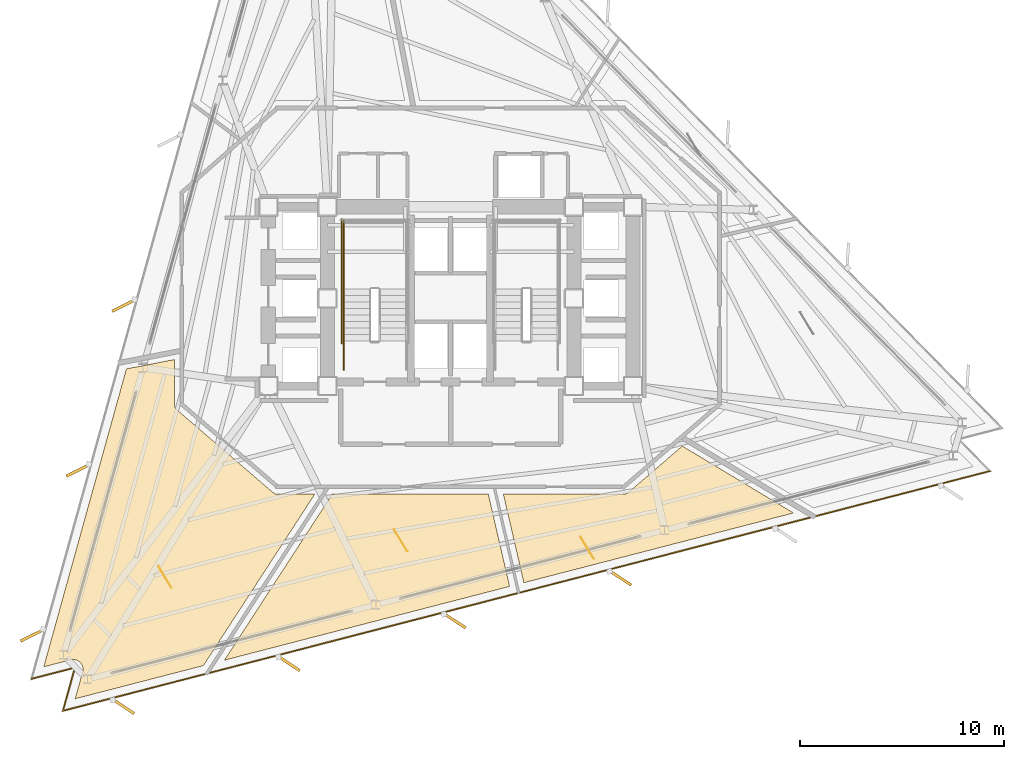
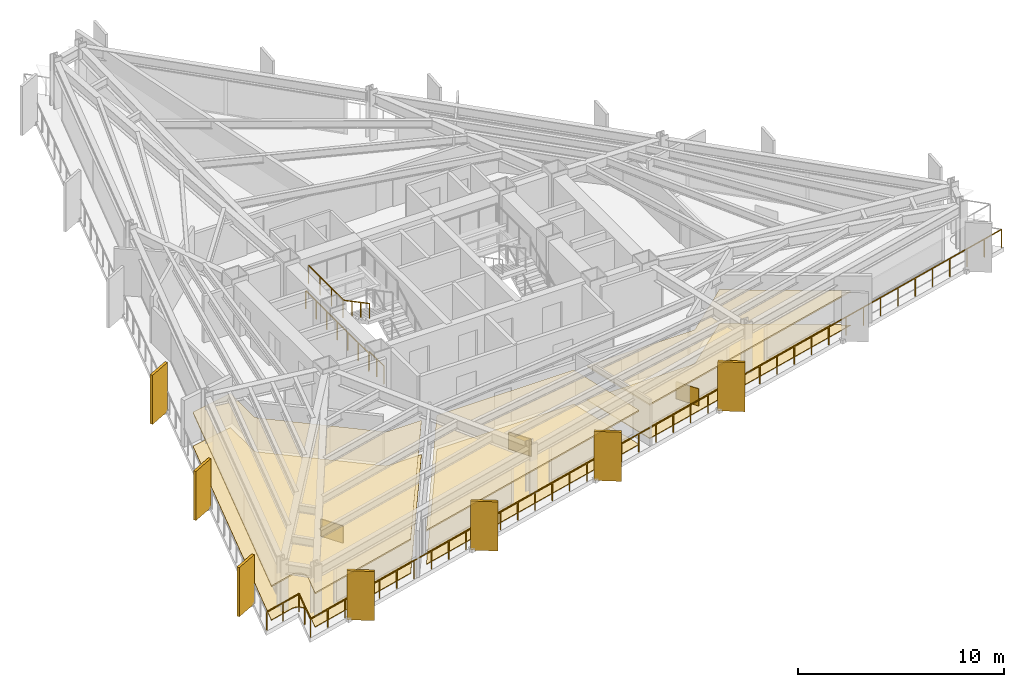
# One storey, part 9 of 11: 9 coverings, 7 shading devices, 5 railings.
"""IFC4 building model written with IfcOpenShell, lengths in metres."""

from ifc_helpers import new_model, si_unit, direction, frame, origin, origin_2d, place, context, subcontext, project, spatial, polyline, rectangle, outline, extrude, material, layer, layer_set, type_object, element, save


model = new_model("IFC4")

# Units and contexts
model_context = context("Model", 3, precision=1e-05, world=origin(), true_north=direction((0.0, 1.0)))
body_context = subcontext(model_context, "Body", "Model", "MODEL_VIEW")
ifc_project = project(units=[si_unit("LENGTHUNIT", "METRE"), si_unit("AREAUNIT", "SQUARE_METRE"), si_unit("VOLUMEUNIT", "CUBIC_METRE"), si_unit("PLANEANGLEUNIT", "RADIAN"), si_unit("MASSUNIT", "GRAM", prefix="KILO")], contexts=[model_context])

# Site, building, storey
site_placement = place(None, origin())
site = spatial("IfcSite", under=ifc_project, at=site_placement, CompositionType="ELEMENT")
building_placement = place(site_placement, origin())
building = spatial("IfcBuilding", under=site, at=building_placement, Name="Rocaltana Carrier Exchange", CompositionType="ELEMENT")
storey_placement = place(building_placement, frame((0.0, 0.0, 79.52001953125)))
storey = spatial("IfcBuildingStorey", under=building, at=storey_placement, Name="L24", CompositionType="ELEMENT", Elevation=79.52001953125)

# Coverings
ifc_material_1 = material(Name="Honed Bogota Sandstone Tile", Category="masonry")
ifc_layer_1 = layer(ifc_material_1, 0.0400390625)
ifc_layer_set_1 = layer_set([ifc_layer_1], Name="Honed Bogota Sandstone Tile")
covering_type_1 = type_object("IfcCoveringType", Name="Honed Stone Lobby Flooring 40", PredefinedType="FLOORING", material=ifc_layer_set_1)
covering_1_placement = place(storey_placement, origin())
element("IfcCovering", 1, at=covering_1_placement, inside=storey, type_object=covering_type_1, Name="L24 Peering Conference Room Finish Floor", PredefinedType="FLOORING", context=body_context, shape_type="SweptSolid", body=[
    extrude(outline(polyline([(-18.068359375, -18.33837890625), (-18.06494140625, -18.324951171875), (-18.060546875, -18.305419921875), (-18.055908203125, -18.278076171875), (-18.05322265625, -18.25830078125), (-18.051513671875, -18.230224609375), (-18.05078125, -18.21044921875), (-18.0517578125, -18.1826171875), (-18.05322265625, -18.16259765625), (-18.056884765625, -18.135009765625), (-18.060302734375, -18.115234375), (-18.066650390625, -18.088134765625), (-18.072265625, -18.069091796875), (-18.081298828125, -18.04248046875), (-18.08837890625, -18.02392578125), (-18.10009765625, -17.99853515625), (-18.109375, -17.98095703125), (-18.123291015625, -17.956787109375), (-18.13427734375, -17.940185546875), (-18.150634765625, -17.91748046875), (-18.1630859375, -17.90185546875), (-18.181640625, -17.881103515625), (-18.195556640625, -17.86669921875), (-18.216064453125, -17.847900390625), (-18.2314453125, -17.835205078125), (-18.25390625, -17.818359375), (-18.270263671875, -17.80712890625), (-18.294189453125, -17.792724609375), (-18.311767578125, -17.783203125), (-18.3369140625, -17.771240234375), (-18.355224609375, -17.763671875), (-18.381591796875, -17.754150390625), (-18.400634765625, -17.748291015625), (-18.427734375, -17.741455078125), (-18.447265625, -17.73779296875), (-18.474853515625, -17.733642578125), (-18.49462890625, -17.731689453125), (-18.522705078125, -17.73046875), (-18.54248046875, -17.73046875), (-18.5703125, -17.73193359375), (-18.59033203125, -17.73388671875), (-18.617919921875, -17.73828125), (-18.637451171875, -17.7421875), (-18.65087890625, -17.74560546875), (-19.97607421875, -18.088134765625), (-15.919677734375, -3.461181640625), (-13.56005859375, -3.00244140625), (-13.56005859375, -5.199951171875), (-13.559814453125, -5.21337890625), (-13.559326171875, -5.220947265625), (-13.556884765625, -5.24755859375), (-13.5556640625, -5.255126953125), (-13.550537109375, -5.281494140625), (-13.548828125, -5.288818359375), (-13.541259765625, -5.314453125), (-13.538818359375, -5.32177734375), (-13.52880859375, -5.346435546875), (-13.525634765625, -5.353515625), (-13.51318359375, -5.377197265625), (-13.509521484375, -5.3837890625), (-13.4951171875, -5.40625), (-13.490478515625, -5.41259765625), (-13.47412109375, -5.433349609375), (-13.468994140625, -5.439208984375), (-13.450439453125, -5.45849609375), (-13.44482421875, -5.4638671875), (-13.43505859375, -5.47265625), (-8.735107421875, -9.522705078125), (-8.72412109375, -9.53173828125), (-8.717529296875, -9.53662109375), (-8.6943359375, -9.552978515625), (-8.6875, -9.557373046875), (-8.66259765625, -9.571044921875), (-8.6552734375, -9.57470703125), (-8.629150390625, -9.5859375), (-8.62158203125, -9.5888671875), (-8.594482421875, -9.597412109375), (-8.58642578125, -9.599365234375), (-8.55859375, -9.60498046875), (-8.550537109375, -9.606201171875), (-8.522216796875, -9.609130859375), (-8.51416015625, -9.609619140625), (-8.5, -9.610107421875), (-6.670166015625, -9.610107421875), (-12.13720703125, -18.02880859375), (-18.43408203125, -19.6572265625), (-18.068359375, -18.33837890625)])), origin(), (0.0, 0.0, 1.0), 0.0400390625),
])
covering_2_placement = place(storey_placement, origin())
element("IfcCovering", 2, at=covering_2_placement, inside=storey, type_object=covering_type_1, Name="L24 Incident Briefing Room Finish Floor", PredefinedType="FLOORING", context=body_context, shape_type="SweptSolid", body=[
    extrude(outline(polyline([(-11.10546875, -17.761962890625), (-5.8115234375, -9.610107421875), (1.84912109375, -9.610107421875), (2.895263671875, -14.14111328125), (-11.10546875, -17.761962890625)])), origin(), (0.0, 0.0, 1.0), 0.0400390625),
])
covering_3_placement = place(storey_placement, origin())
element("IfcCovering", 3, at=covering_3_placement, inside=storey, type_object=covering_type_1, Name="L24 Peering Conference Room Finish Floor", PredefinedType="FLOORING", context=body_context, shape_type="SweptSolid", body=[
    extrude(outline(polyline([(3.592529296875, -13.960693359375), (2.588134765625, -9.610107421875), (8.5, -9.610107421875), (8.51416015625, -9.609619140625), (8.522216796875, -9.609130859375), (8.550537109375, -9.606201171875), (8.55859375, -9.60498046875), (8.58642578125, -9.599365234375), (8.594482421875, -9.597412109375), (8.62158203125, -9.5888671875), (8.629150390625, -9.5859375), (8.6552734375, -9.57470703125), (8.66259765625, -9.571044921875), (8.6875, -9.557373046875), (8.6943359375, -9.552978515625), (8.717529296875, -9.53662109375), (8.72412109375, -9.53173828125), (8.735107421875, -9.522705078125), (11.3701171875, -7.251953125), (16.835693359375, -10.535888671875), (3.592529296875, -13.960693359375)])), origin(), (0.0, 0.0, 1.0), 0.0400390625),
])
ifc_material_2 = material(Name="Anodised Aluminium 6063-T6", Category="aluminium")
ifc_layer_2 = layer(ifc_material_2, 0.0849609375)
ifc_layer_set_2 = layer_set([ifc_layer_2], Name="Anodised Aluminium 6063-T6")
covering_type_2 = type_object("IfcCoveringType", Name="Linear Baffle Acoustic Ceiling 85", PredefinedType="CEILING", material=ifc_layer_set_2)
covering_4_placement = place(storey_placement, frame((0.0, 0.0, 1.972900390625)))
element("IfcCovering", 4, at=covering_4_placement, inside=storey, type_object=covering_type_2, Name="L24 Peering Conference Room Acoustic Ceiling", PredefinedType="CEILING", context=body_context, shape_type="SweptSolid", body=[
    extrude(outline(polyline([(-18.068359375, -18.33837890625), (-18.06494140625, -18.324951171875), (-18.060546875, -18.305419921875), (-18.055908203125, -18.278076171875), (-18.05322265625, -18.25830078125), (-18.051513671875, -18.230224609375), (-18.05078125, -18.21044921875), (-18.0517578125, -18.1826171875), (-18.05322265625, -18.16259765625), (-18.056884765625, -18.135009765625), (-18.060302734375, -18.115234375), (-18.066650390625, -18.088134765625), (-18.072265625, -18.069091796875), (-18.081298828125, -18.04248046875), (-18.08837890625, -18.02392578125), (-18.10009765625, -17.99853515625), (-18.109375, -17.98095703125), (-18.123291015625, -17.956787109375), (-18.13427734375, -17.940185546875), (-18.150634765625, -17.91748046875), (-18.1630859375, -17.90185546875), (-18.181640625, -17.881103515625), (-18.195556640625, -17.86669921875), (-18.216064453125, -17.847900390625), (-18.2314453125, -17.835205078125), (-18.25390625, -17.818359375), (-18.270263671875, -17.80712890625), (-18.294189453125, -17.792724609375), (-18.311767578125, -17.783203125), (-18.3369140625, -17.771240234375), (-18.355224609375, -17.763671875), (-18.381591796875, -17.754150390625), (-18.400634765625, -17.748291015625), (-18.427734375, -17.741455078125), (-18.447265625, -17.73779296875), (-18.474853515625, -17.733642578125), (-18.49462890625, -17.731689453125), (-18.522705078125, -17.73046875), (-18.54248046875, -17.73046875), (-18.5703125, -17.73193359375), (-18.59033203125, -17.73388671875), (-18.617919921875, -17.73828125), (-18.637451171875, -17.7421875), (-18.65087890625, -17.74560546875), (-19.97607421875, -18.088134765625), (-15.919677734375, -3.461181640625), (-13.56005859375, -3.00244140625), (-13.56005859375, -5.199951171875), (-13.559814453125, -5.21337890625), (-13.559326171875, -5.220947265625), (-13.556884765625, -5.24755859375), (-13.5556640625, -5.255126953125), (-13.550537109375, -5.281494140625), (-13.548828125, -5.288818359375), (-13.541259765625, -5.314453125), (-13.538818359375, -5.32177734375), (-13.52880859375, -5.346435546875), (-13.525634765625, -5.353515625), (-13.51318359375, -5.377197265625), (-13.509521484375, -5.3837890625), (-13.4951171875, -5.40625), (-13.490478515625, -5.41259765625), (-13.47412109375, -5.433349609375), (-13.468994140625, -5.439208984375), (-13.450439453125, -5.45849609375), (-13.44482421875, -5.4638671875), (-13.43505859375, -5.47265625), (-8.735107421875, -9.522705078125), (-8.72412109375, -9.53173828125), (-8.717529296875, -9.53662109375), (-8.6943359375, -9.552978515625), (-8.6875, -9.557373046875), (-8.66259765625, -9.571044921875), (-8.6552734375, -9.57470703125), (-8.629150390625, -9.5859375), (-8.62158203125, -9.5888671875), (-8.594482421875, -9.597412109375), (-8.58642578125, -9.599365234375), (-8.55859375, -9.60498046875), (-8.550537109375, -9.606201171875), (-8.522216796875, -9.609130859375), (-8.51416015625, -9.609619140625), (-8.5, -9.610107421875), (-6.670166015625, -9.610107421875), (-12.13720703125, -18.02880859375), (-18.43408203125, -19.6572265625), (-18.068359375, -18.33837890625)])), origin(), (0.0, 0.0, 1.0), 0.0849609375),
])
covering_5_placement = place(storey_placement, frame((0.0, 0.0, 1.972900390625)))
element("IfcCovering", 5, at=covering_5_placement, inside=storey, type_object=covering_type_2, Name="L24 Incident Briefing Room Acoustic Ceiling", PredefinedType="CEILING", context=body_context, shape_type="SweptSolid", body=[
    extrude(outline(polyline([(-11.10546875, -17.761962890625), (-5.8115234375, -9.610107421875), (1.84912109375, -9.610107421875), (2.895263671875, -14.14111328125), (-11.10546875, -17.761962890625)])), origin(), (0.0, 0.0, 1.0), 0.0849609375),
])
covering_6_placement = place(storey_placement, frame((0.0, 0.0, 1.972900390625)))
element("IfcCovering", 6, at=covering_6_placement, inside=storey, type_object=covering_type_2, Name="L24 Peering Conference Room Acoustic Ceiling", PredefinedType="CEILING", context=body_context, shape_type="SweptSolid", body=[
    extrude(outline(polyline([(3.592529296875, -13.960693359375), (2.588134765625, -9.610107421875), (8.5, -9.610107421875), (8.51416015625, -9.609619140625), (8.522216796875, -9.609130859375), (8.550537109375, -9.606201171875), (8.55859375, -9.60498046875), (8.58642578125, -9.599365234375), (8.594482421875, -9.597412109375), (8.62158203125, -9.5888671875), (8.629150390625, -9.5859375), (8.6552734375, -9.57470703125), (8.66259765625, -9.571044921875), (8.6875, -9.557373046875), (8.6943359375, -9.552978515625), (8.717529296875, -9.53662109375), (8.72412109375, -9.53173828125), (8.735107421875, -9.522705078125), (11.3701171875, -7.251953125), (16.835693359375, -10.535888671875), (3.592529296875, -13.960693359375)])), origin(), (0.0, 0.0, 1.0), 0.0849609375),
])

# Railings
ifc_material_3 = material(Name="Brushed Architectural Stainless Tube", Category="steel")
ifc_layer_3 = layer(ifc_material_3, 0.048095703125)
ifc_layer_set_3 = layer_set([ifc_layer_3], Name="Brushed Architectural Stainless Tube")
railing_type_1 = type_object("IfcRailingType", Name="Stair Wall Handrail 920", PredefinedType="HANDRAIL", material=ifc_layer_set_3)
railing_1_placement = place(storey_placement, frame((-5.25, 0.4599609375, 1.68896484375)))
element("IfcRailing", 7, at=railing_1_placement, inside=storey, type_object=railing_type_1, Name="L24 ST-1 stair handrail 2", PredefinedType="HANDRAIL", context=body_context, shape_type="SweptSolid", body=[
    extrude(rectangle(XDim=0.048095703125, YDim=0.048095703125, at=origin_2d()), frame((0.0, 0.0, 0.8759765625), z_axis=(0.0, -0.884394423565, 0.466740295633), x_axis=(1.0, 0.0, 0.0)), (0.0, 0.0, 1.0), 2.894775390625),
    extrude(rectangle(XDim=0.0419921875, YDim=0.0419921875, at=origin_2d()), origin(), (0.0, 0.0, 1.0), 0.851806640625),
    extrude(rectangle(XDim=0.0419921875, YDim=0.0419921875, at=origin_2d()), frame((0.0, -0.853271484375, 0.450439453125)), (0.0, 0.0, 1.0), 0.851806640625),
    extrude(rectangle(XDim=0.0419921875, YDim=0.0419921875, at=origin_2d()), frame((0.0, -1.706787109375, 0.900634765625)), (0.0, 0.0, 1.0), 0.851806640625),
    extrude(rectangle(XDim=0.0419921875, YDim=0.0419921875, at=origin_2d()), frame((0.0, -2.56005859375, 1.35107421875)), (0.0, 0.0, 1.0), 0.851806640625),
])
ifc_material_4 = material(Name="Powder-Coated Aluminium 6063-T6", Category="aluminium")
ifc_layer_4 = layer(ifc_material_4, 0.048095703125)
ifc_layer_set_4 = layer_set([ifc_layer_4], Name="Powder-Coated Aluminium 6063-T6")
railing_type_2 = type_object("IfcRailingType", Name="Stair Well Guardrail 1100", PredefinedType="GUARDRAIL", material=ifc_layer_set_4)
railing_2_placement = place(storey_placement, frame((-5.25, 0.4599609375, 1.52001953125)))
element("IfcRailing", 8, at=railing_2_placement, inside=storey, type_object=railing_type_2, Name="L24 ST-1 stair guard 4", PredefinedType="GUARDRAIL", context=body_context, shape_type="SweptSolid", body=[
    extrude(rectangle(XDim=0.048095703125, YDim=0.048095703125, at=origin_2d()), frame((0.0, 0.0, 1.076171875), z_axis=(0.0, 1.0, 0.0), x_axis=(-1.0, 0.0, 0.0)), (0.0, 0.0, 1.0), 3.340087890625),
    extrude(rectangle(XDim=0.0419921875, YDim=0.0419921875, at=origin_2d()), origin(), (0.0, 0.0, 1.0), 1.052001953125),
    extrude(rectangle(XDim=0.0419921875, YDim=0.0419921875, at=origin_2d()), frame((0.0, 1.11328125, 0.0)), (0.0, 0.0, 1.0), 1.052001953125),
    extrude(rectangle(XDim=0.0419921875, YDim=0.0419921875, at=origin_2d()), frame((0.0, 2.226806640625, 0.0)), (0.0, 0.0, 1.0), 1.052001953125),
    extrude(rectangle(XDim=0.0419921875, YDim=0.0419921875, at=origin_2d()), frame((0.0, 3.340087890625, 0.0)), (0.0, 0.0, 1.0), 1.052001953125),
])
railing_3_placement = place(storey_placement, frame((-5.25, -3.5, 0.0)))
element("IfcRailing", 9, at=railing_3_placement, inside=storey, type_object=railing_type_2, Name="L24 ST-1 stair guard 9", PredefinedType="GUARDRAIL", context=body_context, shape_type="SweptSolid", body=[
    extrude(rectangle(XDim=0.048095703125, YDim=0.048095703125, at=origin_2d()), frame((0.0, 0.0, 1.076171875), z_axis=(0.0, 1.0, 0.0), x_axis=(-1.0, 0.0, 0.0)), (0.0, 0.0, 1.0), 1.39990234375),
    extrude(rectangle(XDim=0.0419921875, YDim=0.0419921875, at=origin_2d()), origin(), (0.0, 0.0, 1.0), 1.052001953125),
    extrude(rectangle(XDim=0.0419921875, YDim=0.0419921875, at=origin_2d()), frame((0.0, 0.699951171875, 0.0)), (0.0, 0.0, 1.0), 1.052001953125),
    extrude(rectangle(XDim=0.0419921875, YDim=0.0419921875, at=origin_2d()), frame((0.0, 1.39990234375, 0.0)), (0.0, 0.0, 1.0), 1.052001953125),
])
railing_4_placement = place(storey_placement, frame((-5.35009765625, -2.199951171875, 0.0)))
element("IfcRailing", 10, at=railing_4_placement, inside=storey, type_object=railing_type_2, Name="L24 ST-1 stair guard 11", PredefinedType="GUARDRAIL", context=body_context, shape_type="SweptSolid", body=[
    extrude(rectangle(XDim=0.048095703125, YDim=0.048095703125, at=origin_2d()), frame((0.0, 0.0, 1.076171875), z_axis=(0.0, 1.0, 0.0), x_axis=(-1.0, 0.0, 0.0)), (0.0, 0.0, 1.0), 6.099853515625),
    extrude(rectangle(XDim=0.0419921875, YDim=0.0419921875, at=origin_2d()), origin(), (0.0, 0.0, 1.0), 1.052001953125),
    extrude(rectangle(XDim=0.0419921875, YDim=0.0419921875, at=origin_2d()), frame((0.0, 1.0166015625, 0.0)), (0.0, 0.0, 1.0), 1.052001953125),
    extrude(rectangle(XDim=0.0419921875, YDim=0.0419921875, at=origin_2d()), frame((0.0, 2.033203125, 0.0)), (0.0, 0.0, 1.0), 1.052001953125),
    extrude(rectangle(XDim=0.0419921875, YDim=0.0419921875, at=origin_2d()), frame((0.0, 3.0498046875, 0.0)), (0.0, 0.0, 1.0), 1.052001953125),
    extrude(rectangle(XDim=0.0419921875, YDim=0.0419921875, at=origin_2d()), frame((0.0, 4.066650390625, 0.0)), (0.0, 0.0, 1.0), 1.052001953125),
    extrude(rectangle(XDim=0.0419921875, YDim=0.0419921875, at=origin_2d()), frame((0.0, 5.083251953125, 0.0)), (0.0, 0.0, 1.0), 1.052001953125),
    extrude(rectangle(XDim=0.0419921875, YDim=0.0419921875, at=origin_2d()), frame((0.0, 6.099853515625, 0.0)), (0.0, 0.0, 1.0), 1.052001953125),
])

# Coverings
ifc_material_5 = material(Name="Honed Piedra Muneca Sandstone", Category="masonry")
ifc_layer_5 = layer(ifc_material_5, 0.034912109375)
ifc_layer_set_5 = layer_set([ifc_layer_5], Name="Honed Piedra Muneca Sandstone")
covering_type_3 = type_object("IfcCoveringType", Name="Stone Facade Cladding 35", PredefinedType="CLADDING", material=ifc_layer_set_5)
for number, where, z_axis, x_axis, name in (
    (11, (-14.02880859375, -13.670166015625, 0.0), (0.0, 0.0, 1.0), (-0.51503807491, 0.857167300702, 0.0), "L24 Stone Facade Cladding Panel 1"),
    (12, (-2.455322265625, -11.87548828125, 0.0), (0.0, 0.0, 1.0), (-0.51503807491, 0.857167300702, 0.0), "L24 Stone Facade Cladding Panel 2"),
    (13, (6.705810546875, -12.248291015625, 0.0), (0.0, 0.0, 1.0), (-0.51503807491, 0.857167300702, 0.0), "L24 Stone Facade Cladding Panel 3"),
):
    element("IfcCovering", number, at=place(storey_placement, frame(where, z_axis=z_axis, x_axis=x_axis)), inside=storey, type_object=covering_type_3, Name=name, PredefinedType="CLADDING", context=body_context, shape_type="SweptSolid", body=[
        extrude(rectangle(XDim=1.25, YDim=0.034912109375, at=origin_2d()), origin(), (0.0, 0.0, 1.0), 1.050048828125),
    ])

# Shading devices
ifc_material_6 = material(Name="Honed Bogota Sandstone & Concrete C45/55", Category="masonry")
ifc_layer_6 = layer(ifc_material_6, 0.139892578125)
ifc_layer_set_6 = layer_set([ifc_layer_6], Name="Honed Bogota Sandstone & Concrete C45/55")
shading_device_type = type_object("IfcShadingDeviceType", Name="Vertical Sandstone Shading Fin 1320x140", PredefinedType="USERDEFINED", material=ifc_layer_set_6)
for number, where, z_axis, x_axis, name in (
    (14, (-16.031005859375, -0.34326171875, -0.1201171875), (0.0, 0.0, 1.0), (-0.894934361602, -0.44619781311, 0.0), "L24 Sandstone Vertical Fin F2-04"),
    (15, (-18.27587890625, -8.437744140625, -0.1201171875), (0.0, 0.0, 1.0), (-0.894934361602, -0.44619781311, 0.0), "L24 Sandstone Vertical Fin F2-05"),
    (16, (-20.520751953125, -16.5322265625, -0.1201171875), (0.0, 0.0, 1.0), (-0.894934361602, -0.44619781311, 0.0), "L24 Sandstone Vertical Fin F2-06"),
    (17, (-16.08447265625, -20.021484375, -0.1201171875), (0.0, 0.0, 1.0), (0.833885822067, -0.551936985312, 0.0), "L24 Sandstone Vertical Fin F3-01"),
    (18, (-7.9521484375, -17.918212890625, -0.1201171875), (0.0, 0.0, 1.0), (0.833885822067, -0.551936985312, 0.0), "L24 Sandstone Vertical Fin F3-02"),
    (19, (0.180419921875, -15.81494140625, -0.1201171875), (0.0, 0.0, 1.0), (0.833885822067, -0.551936985312, 0.0), "L24 Sandstone Vertical Fin F3-03"),
    (20, (8.312744140625, -13.7119140625, -0.1201171875), (0.0, 0.0, 1.0), (0.833885822067, -0.551936985312, 0.0), "L24 Sandstone Vertical Fin F3-04"),
):
    element("IfcShadingDevice", number, at=place(storey_placement, frame(where, z_axis=z_axis, x_axis=x_axis)), inside=storey, type_object=shading_device_type, Name=name, ObjectType="FIN", PredefinedType="USERDEFINED", context=body_context, shape_type="SweptSolid", body=[
        extrude(rectangle(XDim=1.320068359375, YDim=0.139892578125, at=origin_2d()), origin(), (0.0, 0.0, 1.0), 2.907958984375),
    ])

# Railing
ifc_material_7 = material(Name="Powder-Coated Aluminium 6063-T6", Category="aluminium")
ifc_layer_7 = layer(ifc_material_7, 0.06005859375)
ifc_layer_set_7 = layer_set([ifc_layer_7], Name="Powder-Coated Aluminium 6063-T6")
railing_type_3 = type_object("IfcRailingType", Name="Wind-Floor & Terrace Perimeter Guardrail 1100", PredefinedType="GUARDRAIL", material=ifc_layer_set_7)
railing_5_placement = place(storey_placement, frame((26.46240234375, -8.47998046875, 0.0)))
element("IfcRailing", 21, at=railing_5_placement, inside=storey, type_object=railing_type_3, Name="L24 Perimeter Balcony Guardrail 1", PredefinedType="GUARDRAIL", context=body_context, shape_type="SweptSolid", body=[
    extrude(rectangle(XDim=0.048095703125, YDim=0.048095703125, at=origin_2d()), frame((0.0, 0.0, 1.076171875), z_axis=(-0.968146868185, -0.250382989886, 0.0), x_axis=(0.250382989886, -0.968146868185, 0.0)), (0.0, 0.0, 1.0), 46.992431640625),
    extrude(rectangle(XDim=0.048095703125, YDim=0.048095703125, at=origin_2d()), frame((-45.49560546875, -11.76611328125, 1.076171875), z_axis=(0.267237446942, 0.96363071088, 0.0), x_axis=(-0.96363071088, 0.267237446942, 0.0)), (0.0, 0.0, 1.0), 2.199951171875),
    extrude(rectangle(XDim=0.048095703125, YDim=0.048095703125, at=origin_2d()), frame((-44.90771484375, -9.646240234375, 1.076171875), z_axis=(-0.968152477167, -0.250361300835, 0.0), x_axis=(0.250361300835, -0.968152477167, 0.0)), (0.0, 0.0, 1.0), 2.199951171875),
    extrude(rectangle(XDim=0.0419921875, YDim=0.0419921875, at=origin_2d()), origin(), (0.0, 0.0, 1.0), 1.052001953125),
    extrude(rectangle(XDim=0.0419921875, YDim=0.0419921875, at=origin_2d()), frame((-1.137451171875, -0.294189453125, 0.0)), (0.0, 0.0, 1.0), 1.052001953125),
    extrude(rectangle(XDim=0.0419921875, YDim=0.0419921875, at=origin_2d()), frame((-2.27490234375, -0.58837890625, 0.0)), (0.0, 0.0, 1.0), 1.052001953125),
    extrude(rectangle(XDim=0.0419921875, YDim=0.0419921875, at=origin_2d()), frame((-3.412109375, -0.882568359375, 0.0)), (0.0, 0.0, 1.0), 1.052001953125),
    extrude(rectangle(XDim=0.0419921875, YDim=0.0419921875, at=origin_2d()), frame((-4.549560546875, -1.176513671875, 0.0)), (0.0, 0.0, 1.0), 1.052001953125),
    extrude(rectangle(XDim=0.0419921875, YDim=0.0419921875, at=origin_2d()), frame((-5.68701171875, -1.470703125, 0.0)), (0.0, 0.0, 1.0), 1.052001953125),
    extrude(rectangle(XDim=0.0419921875, YDim=0.0419921875, at=origin_2d()), frame((-6.82421875, -1.764892578125, 0.0)), (0.0, 0.0, 1.0), 1.052001953125),
    extrude(rectangle(XDim=0.0419921875, YDim=0.0419921875, at=origin_2d()), frame((-7.961669921875, -2.05908203125, 0.0)), (0.0, 0.0, 1.0), 1.052001953125),
    extrude(rectangle(XDim=0.0419921875, YDim=0.0419921875, at=origin_2d()), frame((-9.09912109375, -2.353271484375, 0.0)), (0.0, 0.0, 1.0), 1.052001953125),
    extrude(rectangle(XDim=0.0419921875, YDim=0.0419921875, at=origin_2d()), frame((-10.236572265625, -2.6474609375, 0.0)), (0.0, 0.0, 1.0), 1.052001953125),
    extrude(rectangle(XDim=0.0419921875, YDim=0.0419921875, at=origin_2d()), frame((-11.3740234375, -2.94140625, 0.0)), (0.0, 0.0, 1.0), 1.052001953125),
    extrude(rectangle(XDim=0.0419921875, YDim=0.0419921875, at=origin_2d()), frame((-12.51123046875, -3.235595703125, 0.0)), (0.0, 0.0, 1.0), 1.052001953125),
    extrude(rectangle(XDim=0.0419921875, YDim=0.0419921875, at=origin_2d()), frame((-13.648681640625, -3.52978515625, 0.0)), (0.0, 0.0, 1.0), 1.052001953125),
    extrude(rectangle(XDim=0.0419921875, YDim=0.0419921875, at=origin_2d()), frame((-14.7861328125, -3.823974609375, 0.0)), (0.0, 0.0, 1.0), 1.052001953125),
    extrude(rectangle(XDim=0.0419921875, YDim=0.0419921875, at=origin_2d()), frame((-15.92333984375, -4.1181640625, 0.0)), (0.0, 0.0, 1.0), 1.052001953125),
    extrude(rectangle(XDim=0.0419921875, YDim=0.0419921875, at=origin_2d()), frame((-17.060791015625, -4.412353515625, 0.0)), (0.0, 0.0, 1.0), 1.052001953125),
    extrude(rectangle(XDim=0.0419921875, YDim=0.0419921875, at=origin_2d()), frame((-18.1982421875, -4.70654296875, 0.0)), (0.0, 0.0, 1.0), 1.052001953125),
    extrude(rectangle(XDim=0.0419921875, YDim=0.0419921875, at=origin_2d()), frame((-19.335693359375, -5.00048828125, 0.0)), (0.0, 0.0, 1.0), 1.052001953125),
    extrude(rectangle(XDim=0.0419921875, YDim=0.0419921875, at=origin_2d()), frame((-20.47314453125, -5.294677734375, 0.0)), (0.0, 0.0, 1.0), 1.052001953125),
    extrude(rectangle(XDim=0.0419921875, YDim=0.0419921875, at=origin_2d()), frame((-21.6103515625, -5.5888671875, 0.0)), (0.0, 0.0, 1.0), 1.052001953125),
    extrude(rectangle(XDim=0.0419921875, YDim=0.0419921875, at=origin_2d()), frame((-22.747802734375, -5.883056640625, 0.0)), (0.0, 0.0, 1.0), 1.052001953125),
    extrude(rectangle(XDim=0.0419921875, YDim=0.0419921875, at=origin_2d()), frame((-23.88525390625, -6.17724609375, 0.0)), (0.0, 0.0, 1.0), 1.052001953125),
    extrude(rectangle(XDim=0.0419921875, YDim=0.0419921875, at=origin_2d()), frame((-25.022705078125, -6.471435546875, 0.0)), (0.0, 0.0, 1.0), 1.052001953125),
    extrude(rectangle(XDim=0.0419921875, YDim=0.0419921875, at=origin_2d()), frame((-26.159912109375, -6.765625, 0.0)), (0.0, 0.0, 1.0), 1.052001953125),
    extrude(rectangle(XDim=0.0419921875, YDim=0.0419921875, at=origin_2d()), frame((-27.29736328125, -7.0595703125, 0.0)), (0.0, 0.0, 1.0), 1.052001953125),
    extrude(rectangle(XDim=0.0419921875, YDim=0.0419921875, at=origin_2d()), frame((-28.434814453125, -7.353759765625, 0.0)), (0.0, 0.0, 1.0), 1.052001953125),
    extrude(rectangle(XDim=0.0419921875, YDim=0.0419921875, at=origin_2d()), frame((-29.572265625, -7.64794921875, 0.0)), (0.0, 0.0, 1.0), 1.052001953125),
    extrude(rectangle(XDim=0.0419921875, YDim=0.0419921875, at=origin_2d()), frame((-30.70947265625, -7.942138671875, 0.0)), (0.0, 0.0, 1.0), 1.052001953125),
    extrude(rectangle(XDim=0.0419921875, YDim=0.0419921875, at=origin_2d()), frame((-31.846923828125, -8.236328125, 0.0)), (0.0, 0.0, 1.0), 1.052001953125),
    extrude(rectangle(XDim=0.0419921875, YDim=0.0419921875, at=origin_2d()), frame((-32.984375, -8.530517578125, 0.0)), (0.0, 0.0, 1.0), 1.052001953125),
    extrude(rectangle(XDim=0.0419921875, YDim=0.0419921875, at=origin_2d()), frame((-34.12158203125, -8.82470703125, 0.0)), (0.0, 0.0, 1.0), 1.052001953125),
    extrude(rectangle(XDim=0.0419921875, YDim=0.0419921875, at=origin_2d()), frame((-35.259033203125, -9.11865234375, 0.0)), (0.0, 0.0, 1.0), 1.052001953125),
    extrude(rectangle(XDim=0.0419921875, YDim=0.0419921875, at=origin_2d()), frame((-36.396484375, -9.412841796875, 0.0)), (0.0, 0.0, 1.0), 1.052001953125),
    extrude(rectangle(XDim=0.0419921875, YDim=0.0419921875, at=origin_2d()), frame((-37.533935546875, -9.70703125, 0.0)), (0.0, 0.0, 1.0), 1.052001953125),
    extrude(rectangle(XDim=0.0419921875, YDim=0.0419921875, at=origin_2d()), frame((-38.67138671875, -10.001220703125, 0.0)), (0.0, 0.0, 1.0), 1.052001953125),
    extrude(rectangle(XDim=0.0419921875, YDim=0.0419921875, at=origin_2d()), frame((-39.80859375, -10.29541015625, 0.0)), (0.0, 0.0, 1.0), 1.052001953125),
    extrude(rectangle(XDim=0.0419921875, YDim=0.0419921875, at=origin_2d()), frame((-40.946044921875, -10.589599609375, 0.0)), (0.0, 0.0, 1.0), 1.052001953125),
    extrude(rectangle(XDim=0.0419921875, YDim=0.0419921875, at=origin_2d()), frame((-42.08349609375, -10.883544921875, 0.0)), (0.0, 0.0, 1.0), 1.052001953125),
    extrude(rectangle(XDim=0.0419921875, YDim=0.0419921875, at=origin_2d()), frame((-43.220703125, -11.177734375, 0.0)), (0.0, 0.0, 1.0), 1.052001953125),
    extrude(rectangle(XDim=0.0419921875, YDim=0.0419921875, at=origin_2d()), frame((-44.358154296875, -11.471923828125, 0.0)), (0.0, 0.0, 1.0), 1.052001953125),
    extrude(rectangle(XDim=0.0419921875, YDim=0.0419921875, at=origin_2d()), frame((-45.49560546875, -11.76611328125, 0.0)), (0.0, 0.0, 1.0), 1.052001953125),
    extrude(rectangle(XDim=0.0419921875, YDim=0.0419921875, at=origin_2d()), frame((-45.20166015625, -10.7060546875, 0.0)), (0.0, 0.0, 1.0), 1.052001953125),
    extrude(rectangle(XDim=0.0419921875, YDim=0.0419921875, at=origin_2d()), frame((-44.90771484375, -9.646240234375, 0.0)), (0.0, 0.0, 1.0), 1.052001953125),
    extrude(rectangle(XDim=0.0419921875, YDim=0.0419921875, at=origin_2d()), frame((-45.97265625, -9.921630859375, 0.0)), (0.0, 0.0, 1.0), 1.052001953125),
    extrude(rectangle(XDim=0.0419921875, YDim=0.0419921875, at=origin_2d()), frame((-47.03759765625, -10.197021484375, 0.0)), (0.0, 0.0, 1.0), 1.052001953125),
])

save(model, "model.ifc")
